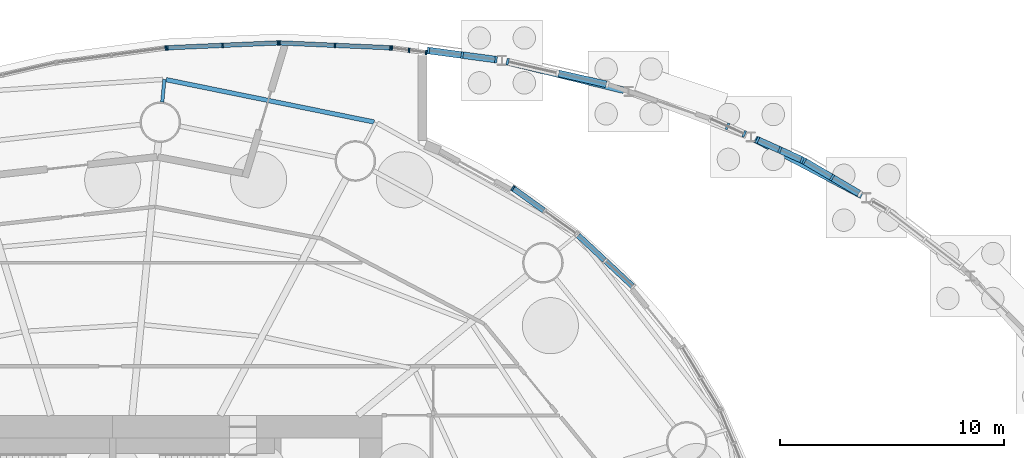
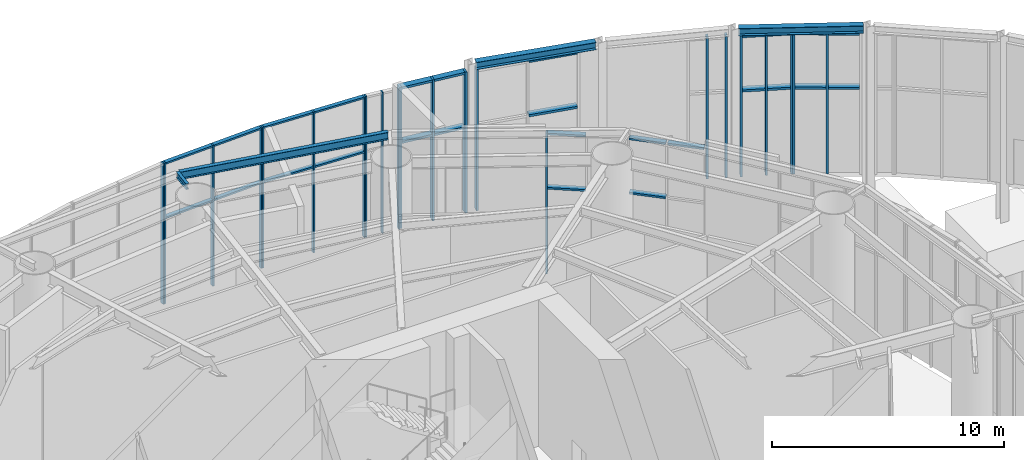
# One storey, part 12 of 27: 49 members, 4 beams, 11 elements without a shape of their own.
"""IFC4 building model written with IfcOpenShell, lengths in metres."""

from ifc_helpers import new_model, si_unit, direction, frame, origin, origin_2d, place, context, subcontext, project, spatial, rectangle, i_section, extrude, material, material_profile, profile_set, type_object, element, aggregate, save


model = new_model("IFC4")

# Units and contexts
model_context = context("Model", 3, precision=1e-05, world=origin(), true_north=direction((0.0, 1.0)))
body_context = subcontext(model_context, "Body", "Model", "MODEL_VIEW")
ifc_project = project(units=[si_unit("LENGTHUNIT", "METRE"), si_unit("AREAUNIT", "SQUARE_METRE"), si_unit("VOLUMEUNIT", "CUBIC_METRE"), si_unit("PLANEANGLEUNIT", "RADIAN"), si_unit("MASSUNIT", "GRAM", prefix="KILO")], contexts=[model_context])

# Site, building, storey
site_placement = place(None, origin())
site = spatial("IfcSite", under=ifc_project, at=site_placement, CompositionType="ELEMENT")
building_placement = place(site_placement, origin())
building = spatial("IfcBuilding", under=site, at=building_placement, Name="Vermilion Reach Broadcast Tower", CompositionType="ELEMENT")
storey_placement = place(building_placement, origin())
storey = spatial("IfcBuildingStorey", under=building, at=storey_placement, Name="L00", CompositionType="ELEMENT", Elevation=0.0)

# Curtain wall, members
ifc_material_1 = material(Name="Low-e laminated clear glass in aluminium frame", Category="aluminium")
curtain_wall_type_1 = type_object("IfcCurtainWallType", Name="Atrium outer wall curtain wall", PredefinedType="NOTDEFINED", material=ifc_material_1)
placement = place(storey_placement, origin())
curtain_wall_1 = element("IfcCurtainWall", 1, at=placement, inside=storey, type_object=curtain_wall_type_1, Name="Atrium wall L00 02-2", PredefinedType="NOTDEFINED")
ifc_material_2 = material(Name="Anodised aluminium", Category="aluminium")
ifc_material_profile_1 = material_profile(ifc_material_2, rectangle(XDim=0.300048828125, YDim=0.10009765625, at=origin_2d()), Name="Atrium outer wall mullion 100 x 300")
ifc_profile_set_1 = profile_set([ifc_material_profile_1], Name="Anodised aluminium")
member_type_1 = type_object("IfcMemberType", Name="Atrium outer wall mullion 100 x 300", PredefinedType="MULLION", material=ifc_profile_set_1)
member_1_placement = place(storey_placement, frame((26.0478515625, 19.6005859375, 0.0), z_axis=(0.0, 0.0, 1.0), x_axis=(-0.508589622127, -0.861009057017, 0.0)))
member_1 = element("IfcMember", 2, at=member_1_placement, type_object=member_type_1, Name="Atrium wall mullion L00 02-2.2", PredefinedType="MULLION", context=body_context, shape_type="SweptSolid", body=[
    extrude(rectangle(XDim=0.300048828125, YDim=0.10009765625, at=origin_2d()), origin(), (0.0, 0.0, 1.0), 7.409912109375),
])
member_2_placement = place(storey_placement, frame((24.8037109375, 20.33544921875, 0.0), z_axis=(0.0, 0.0, 1.0), x_axis=(-0.508589622127, -0.861009057017, 0.0)))
member_2 = element("IfcMember", 3, at=member_2_placement, type_object=member_type_1, Name="Atrium wall mullion L00 02-2.3", PredefinedType="MULLION", context=body_context, shape_type="SweptSolid", body=[
    extrude(rectangle(XDim=0.300048828125, YDim=0.10009765625, at=origin_2d()), origin(), (0.0, 0.0, 1.0), 7.409912109375),
])

curtain_wall_2 = element("IfcCurtainWall", 4, at=placement, inside=storey, type_object=curtain_wall_type_1, Name="Atrium wall L00 03-1", PredefinedType="NOTDEFINED")
member_3_placement = place(storey_placement, frame((24.715087890625, 20.38134765625, 0.0), z_axis=(0.0, 0.0, 1.0), x_axis=(-0.410407876277, -0.911902064418, 0.0)))
member_3 = element("IfcMember", 5, at=member_3_placement, type_object=member_type_1, Name="Atrium wall mullion L00 03-1.1", PredefinedType="MULLION", context=body_context, shape_type="SweptSolid", body=[
    extrude(rectangle(XDim=0.300048828125, YDim=0.10009765625, at=origin_2d()), origin(), (0.0, 0.0, 1.0), 7.409912109375),
])
member_4_placement = place(storey_placement, frame((23.720947265625, 20.82861328125, 0.0), z_axis=(0.0, 0.0, 1.0), x_axis=(-0.410407876277, -0.911902064418, 0.0)))
member_4 = element("IfcMember", 6, at=member_4_placement, type_object=member_type_1, Name="Atrium wall mullion L00 03-1.2", PredefinedType="MULLION", context=body_context, shape_type="SweptSolid", body=[
    extrude(rectangle(XDim=0.300048828125, YDim=0.10009765625, at=origin_2d()), origin(), (0.0, 0.0, 1.0), 7.409912109375),
])
member_5_placement = place(storey_placement, frame((22.726806640625, 21.276123046875, 0.0), z_axis=(0.0, 0.0, 1.0), x_axis=(-0.410407876277, -0.911902064418, 0.0)))
member_5 = element("IfcMember", 7, at=member_5_placement, type_object=member_type_1, Name="Atrium wall mullion L00 03-1.3", PredefinedType="MULLION", context=body_context, shape_type="SweptSolid", body=[
    extrude(rectangle(XDim=0.300048828125, YDim=0.10009765625, at=origin_2d()), origin(), (0.0, 0.0, 1.0), 7.409912109375),
])

curtain_wall_3 = element("IfcCurtainWall", 8, at=placement, inside=storey, type_object=curtain_wall_type_1, Name="Atrium wall L00 03-2", PredefinedType="NOTDEFINED")
member_6_placement = place(storey_placement, frame((22.1357421875, 21.5419921875, 0.0), z_axis=(0.0, 0.0, 1.0), x_axis=(-0.410407876277, -0.911902064418, 0.0)))
member_6 = element("IfcMember", 9, at=member_6_placement, type_object=member_type_1, Name="Atrium wall mullion L00 03-2.1", PredefinedType="MULLION", context=body_context, shape_type="SweptSolid", body=[
    extrude(rectangle(XDim=0.300048828125, YDim=0.10009765625, at=origin_2d()), origin(), (0.0, 0.0, 1.0), 7.409912109375),
])
member_7_placement = place(storey_placement, frame((21.386474609375, 21.87939453125, 0.0), z_axis=(0.0, 0.0, 1.0), x_axis=(-0.410407876277, -0.911902064418, 0.0)))
member_7 = element("IfcMember", 10, at=member_7_placement, type_object=member_type_1, Name="Atrium wall mullion L00 03-2.2", PredefinedType="MULLION", context=body_context, shape_type="SweptSolid", body=[
    extrude(rectangle(XDim=0.300048828125, YDim=0.10009765625, at=origin_2d()), origin(), (0.0, 0.0, 1.0), 7.409912109375),
])
aggregate(curtain_wall_3, [member_6, member_7])

# Curtain wall, member
curtain_wall_4 = element("IfcCurtainWall", 11, at=placement, inside=storey, type_object=curtain_wall_type_1, Name="Atrium wall L00 01", PredefinedType="NOTDEFINED")
member_8_placement = place(storey_placement, frame((11.594482421875, 24.760009765625, 0.0), z_axis=(0.0, 0.0, 1.0), x_axis=(-0.222891523278, -0.974843253478, 0.0)))
member_8 = element("IfcMember", 12, at=member_8_placement, type_object=member_type_1, Name="Atrium wall mullion L00 01.3", PredefinedType="MULLION", context=body_context, shape_type="SweptSolid", body=[
    extrude(rectangle(XDim=0.300048828125, YDim=0.10009765625, at=origin_2d()), origin(), (0.0, 0.0, 1.0), 7.409912109375),
])

# Curtain wall, members
curtain_wall_5 = element("IfcCurtainWall", 13, at=placement, inside=storey, type_object=curtain_wall_type_1, Name="Atrium wall L00 02", PredefinedType="NOTDEFINED")
member_9_placement = place(storey_placement, frame((11.075439453125, 24.85400390625, 0.0), z_axis=(0.0, 0.0, 1.0), x_axis=(-0.132793713723, -0.991143697753, 0.0)))
member_9 = element("IfcMember", 14, at=member_9_placement, type_object=member_type_1, Name="Atrium wall mullion L00 02.1", PredefinedType="MULLION", context=body_context, shape_type="SweptSolid", body=[
    extrude(rectangle(XDim=0.300048828125, YDim=0.10009765625, at=origin_2d()), origin(), (0.0, 0.0, 1.0), 7.409912109375),
])
member_10_placement = place(storey_placement, frame((9.569091796875, 25.055908203125, 0.0), z_axis=(0.0, 0.0, 1.0), x_axis=(-0.132793713723, -0.991143697753, 0.0)))
member_10 = element("IfcMember", 15, at=member_10_placement, type_object=member_type_1, Name="Atrium wall mullion L00 02.2", PredefinedType="MULLION", context=body_context, shape_type="SweptSolid", body=[
    extrude(rectangle(XDim=0.300048828125, YDim=0.10009765625, at=origin_2d()), origin(), (0.0, 0.0, 1.0), 7.409912109375),
])
member_11_placement = place(storey_placement, frame((8.062744140625, 25.257568359375, 0.0), z_axis=(0.0, 0.0, 1.0), x_axis=(-0.132793713723, -0.991143697753, 0.0)))
member_11 = element("IfcMember", 16, at=member_11_placement, type_object=member_type_1, Name="Atrium wall mullion L00 02.3", PredefinedType="MULLION", context=body_context, shape_type="SweptSolid", body=[
    extrude(rectangle(XDim=0.300048828125, YDim=0.10009765625, at=origin_2d()), origin(), (0.0, 0.0, 1.0), 7.409912109375),
])

# Member
ifc_material_3 = material(Name="Anodised aluminium", Category="aluminium")
ifc_material_profile_2 = material_profile(ifc_material_3, rectangle(XDim=0.300048828125, YDim=0.1201171875, at=origin_2d()), Name="Atrium outer wall transom 300 x 120")
ifc_profile_set_2 = profile_set([ifc_material_profile_2], Name="Anodised aluminium")
member_type_2 = type_object("IfcMemberType", Name="Atrium outer wall transom 300 x 120", PredefinedType="USERDEFINED", material=ifc_profile_set_2)
member_12_placement = place(storey_placement, frame((27.248779296875, 18.89111328125, 4.5), z_axis=(-0.861060223376, 0.508502990866, 0.0), x_axis=(-0.508502990866, -0.861060223376, 0.0)))
member_12 = element("IfcMember", 17, at=member_12_placement, type_object=member_type_2, Name="Atrium wall transom L00 02-2.1.2", ObjectType="TRANSOM", PredefinedType="USERDEFINED", context=body_context, shape_type="SweptSolid", body=[
    extrude(rectangle(XDim=0.300048828125, YDim=0.1201171875, at=origin_2d()), origin(), (0.0, 0.0, 1.0), 1.3447265625),
])

member_13_placement = place(storey_placement, frame((27.248779296875, 18.89111328125, 7.35009765625), z_axis=(-0.861060223376, 0.508502990866, 0.0), x_axis=(-0.508502990866, -0.861060223376, 0.0)))
member_13 = element("IfcMember", 18, at=member_13_placement, type_object=member_type_2, Name="Atrium wall transom L00 02-2.1.3", ObjectType="TRANSOM", PredefinedType="USERDEFINED", context=body_context, shape_type="SweptSolid", body=[
    extrude(rectangle(XDim=0.300048828125, YDim=0.1201171875, at=origin_2d()), origin(), (0.0, 0.0, 1.0), 1.3447265625),
])

member_14_placement = place(storey_placement, frame((26.004638671875, 19.6259765625, 4.5), z_axis=(-0.861060223376, 0.508502990866, 0.0), x_axis=(-0.508502990866, -0.861060223376, 0.0)))
member_14 = element("IfcMember", 19, at=member_14_placement, type_object=member_type_2, Name="Atrium wall transom L00 02-2.2.2", ObjectType="TRANSOM", PredefinedType="USERDEFINED", context=body_context, shape_type="SweptSolid", body=[
    extrude(rectangle(XDim=0.300048828125, YDim=0.1201171875, at=origin_2d()), origin(), (0.0, 0.0, 1.0), 1.3447265625),
])

member_15_placement = place(storey_placement, frame((26.004638671875, 19.6259765625, 7.35009765625), z_axis=(-0.861060223376, 0.508502990866, 0.0), x_axis=(-0.508502990866, -0.861060223376, 0.0)))
member_15 = element("IfcMember", 20, at=member_15_placement, type_object=member_type_2, Name="Atrium wall transom L00 02-2.2.3", ObjectType="TRANSOM", PredefinedType="USERDEFINED", context=body_context, shape_type="SweptSolid", body=[
    extrude(rectangle(XDim=0.300048828125, YDim=0.1201171875, at=origin_2d()), origin(), (0.0, 0.0, 1.0), 1.3447265625),
])

aggregate(curtain_wall_1, [member_1, member_2, member_12, member_13, member_14, member_15])

member_16_placement = place(storey_placement, frame((24.66943359375, 20.40185546875, 4.5), z_axis=(-0.911972242519, 0.410251909044, 0.0), x_axis=(-0.410251909044, -0.911972242519, 0.0)))
member_16 = element("IfcMember", 21, at=member_16_placement, type_object=member_type_2, Name="Atrium wall transom L00 03-1.1.2", ObjectType="TRANSOM", PredefinedType="USERDEFINED", context=body_context, shape_type="SweptSolid", body=[
    extrude(rectangle(XDim=0.300048828125, YDim=0.1201171875, at=origin_2d()), origin(), (0.0, 0.0, 1.0), 0.990234375),
])

member_17_placement = place(storey_placement, frame((24.66943359375, 20.40185546875, 7.35009765625), z_axis=(-0.911972242519, 0.410251909044, 0.0), x_axis=(-0.410251909044, -0.911972242519, 0.0)))
member_17 = element("IfcMember", 22, at=member_17_placement, type_object=member_type_2, Name="Atrium wall transom L00 03-1.1.3", ObjectType="TRANSOM", PredefinedType="USERDEFINED", context=body_context, shape_type="SweptSolid", body=[
    extrude(rectangle(XDim=0.300048828125, YDim=0.1201171875, at=origin_2d()), origin(), (0.0, 0.0, 1.0), 0.990234375),
])

member_18_placement = place(storey_placement, frame((23.67529296875, 20.84912109375, 4.5), z_axis=(-0.911879986632, 0.410456928289, 0.0), x_axis=(-0.410456928289, -0.911879986632, 0.0)))
member_18 = element("IfcMember", 23, at=member_18_placement, type_object=member_type_2, Name="Atrium wall transom L00 03-1.2.2", ObjectType="TRANSOM", PredefinedType="USERDEFINED", context=body_context, shape_type="SweptSolid", body=[
    extrude(rectangle(XDim=0.300048828125, YDim=0.1201171875, at=origin_2d()), origin(), (0.0, 0.0, 1.0), 0.990234375),
])

member_19_placement = place(storey_placement, frame((23.67529296875, 20.84912109375, 7.35009765625), z_axis=(-0.911879986632, 0.410456928289, 0.0), x_axis=(-0.410456928289, -0.911879986632, 0.0)))
member_19 = element("IfcMember", 24, at=member_19_placement, type_object=member_type_2, Name="Atrium wall transom L00 03-1.2.3", ObjectType="TRANSOM", PredefinedType="USERDEFINED", context=body_context, shape_type="SweptSolid", body=[
    extrude(rectangle(XDim=0.300048828125, YDim=0.1201171875, at=origin_2d()), origin(), (0.0, 0.0, 1.0), 0.990234375),
])

aggregate(curtain_wall_2, [member_3, member_4, member_5, member_16, member_17, member_18, member_19])

member_20_placement = place(storey_placement, frame((15.99365234375, 23.75439453125, 4.5), z_axis=(-0.97485503326, 0.222839996696, 0.0), x_axis=(-0.222839996696, -0.97485503326, 0.0)))
member_20 = element("IfcMember", 25, at=member_20_placement, type_object=member_type_2, Name="Atrium wall transom L00 01.1.2", ObjectType="TRANSOM", PredefinedType="USERDEFINED", context=body_context, shape_type="SweptSolid", body=[
    extrude(rectangle(XDim=0.300048828125, YDim=0.1201171875, at=origin_2d()), origin(), (0.0, 0.0, 1.0), 2.181396484375),
])

member_21_placement = place(storey_placement, frame((15.99365234375, 23.75439453125, 7.35009765625), z_axis=(-0.97485503326, 0.222839996696, 0.0), x_axis=(-0.222839996696, -0.97485503326, 0.0)))
member_21 = element("IfcMember", 26, at=member_21_placement, type_object=member_type_2, Name="Atrium wall transom L00 01.1.3", ObjectType="TRANSOM", PredefinedType="USERDEFINED", context=body_context, shape_type="SweptSolid", body=[
    extrude(rectangle(XDim=0.300048828125, YDim=0.1201171875, at=origin_2d()), origin(), (0.0, 0.0, 1.0), 2.181396484375),
])

aggregate(curtain_wall_4, [member_8, member_20, member_21])

member_22_placement = place(storey_placement, frame((11.02587890625, 24.860595703125, 4.5), z_axis=(-0.991149634463, 0.132749395872, 0.0), x_axis=(-0.132749395872, -0.991149634463, 0.0)))
member_22 = element("IfcMember", 27, at=member_22_placement, type_object=member_type_2, Name="Atrium wall transom L00 02.1.2", ObjectType="TRANSOM", PredefinedType="USERDEFINED", context=body_context, shape_type="SweptSolid", body=[
    extrude(rectangle(XDim=0.300048828125, YDim=0.1201171875, at=origin_2d()), origin(), (0.0, 0.0, 1.0), 1.419677734375),
])

member_23_placement = place(storey_placement, frame((11.02587890625, 24.860595703125, 7.35009765625), z_axis=(-0.991149634463, 0.132749395872, 0.0), x_axis=(-0.132749395872, -0.991149634463, 0.0)))
member_23 = element("IfcMember", 28, at=member_23_placement, type_object=member_type_2, Name="Atrium wall transom L00 02.1.3", ObjectType="TRANSOM", PredefinedType="USERDEFINED", context=body_context, shape_type="SweptSolid", body=[
    extrude(rectangle(XDim=0.300048828125, YDim=0.1201171875, at=origin_2d()), origin(), (0.0, 0.0, 1.0), 1.419677734375),
])

member_24_placement = place(storey_placement, frame((9.51953125, 25.0625, 4.5), z_axis=(-0.991149634463, 0.132749395872, 0.0), x_axis=(-0.132749395872, -0.991149634463, 0.0)))
member_24 = element("IfcMember", 29, at=member_24_placement, type_object=member_type_2, Name="Atrium wall transom L00 02.2.2", ObjectType="TRANSOM", PredefinedType="USERDEFINED", context=body_context, shape_type="SweptSolid", body=[
    extrude(rectangle(XDim=0.300048828125, YDim=0.1201171875, at=origin_2d()), origin(), (0.0, 0.0, 1.0), 1.419677734375),
])

member_25_placement = place(storey_placement, frame((9.51953125, 25.0625, 7.35009765625), z_axis=(-0.991149634463, 0.132749395872, 0.0), x_axis=(-0.132749395872, -0.991149634463, 0.0)))
member_25 = element("IfcMember", 30, at=member_25_placement, type_object=member_type_2, Name="Atrium wall transom L00 02.2.3", ObjectType="TRANSOM", PredefinedType="USERDEFINED", context=body_context, shape_type="SweptSolid", body=[
    extrude(rectangle(XDim=0.300048828125, YDim=0.1201171875, at=origin_2d()), origin(), (0.0, 0.0, 1.0), 1.419677734375),
])

aggregate(curtain_wall_5, [member_9, member_10, member_11, member_22, member_23, member_24, member_25])

# Curtain wall, members
ifc_material_4 = material(Name="Low-e laminated clear glass in aluminium frame", Category="aluminium")
curtain_wall_type_2 = type_object("IfcCurtainWallType", Name="Drum wall curtain wall", PredefinedType="NOTDEFINED", material=ifc_material_4)
curtain_wall_6 = element("IfcCurtainWall", 31, at=placement, inside=storey, type_object=curtain_wall_type_2, Name="Drum wall L00 01", PredefinedType="NOTDEFINED")
ifc_material_5 = material(Name="Anodised aluminium", Category="aluminium")
ifc_material_profile_3 = material_profile(ifc_material_5, rectangle(XDim=0.25, YDim=0.080078125, at=origin_2d()), Name="Drum wall mullion 80 x 250")
ifc_profile_set_3 = profile_set([ifc_material_profile_3], Name="Anodised aluminium")
member_type_3 = type_object("IfcMemberType", Name="Drum wall mullion 80 x 250", PredefinedType="MULLION", material=ifc_profile_set_3)
member_26_placement = place(storey_placement, frame((11.830810546875, 19.123046875, 0.0), z_axis=(0.0, 0.0, 1.0), x_axis=(0.583587074286, 0.812050569069, 0.0)))
member_26 = element("IfcMember", 32, at=member_26_placement, type_object=member_type_3, Name="Drum wall mullion L00 01.1", PredefinedType="MULLION", context=body_context, shape_type="SweptSolid", body=[
    extrude(rectangle(XDim=0.25, YDim=0.080078125, at=origin_2d()), origin(), (0.0, 0.0, 1.0), 7.39990234375),
])
ifc_material_6 = material(Name="Anodised aluminium", Category="aluminium")
ifc_material_profile_4 = material_profile(ifc_material_6, rectangle(XDim=0.25, YDim=0.10009765625, at=origin_2d()), Name="Drum wall transom 250 x 100")
ifc_profile_set_4 = profile_set([ifc_material_profile_4], Name="Anodised aluminium")
member_type_4 = type_object("IfcMemberType", Name="Drum wall transom 250 x 100", PredefinedType="USERDEFINED", material=ifc_profile_set_4)
member_27_placement = place(storey_placement, frame((11.86328125, 19.099609375, 4.5), z_axis=(0.812065616245, -0.583566135852, 0.0), x_axis=(0.583566135852, 0.812065616245, 0.0)))
member_27 = element("IfcMember", 33, at=member_27_placement, type_object=member_type_4, Name="Drum wall transom L00 01.1.2", ObjectType="TRANSOM", PredefinedType="USERDEFINED", context=body_context, shape_type="SweptSolid", body=[
    extrude(rectangle(XDim=0.25, YDim=0.10009765625, at=origin_2d()), origin(), (0.0, 0.0, 1.0), 1.655029296875),
])
member_28_placement = place(storey_placement, frame((11.86328125, 19.099609375, 7.35009765625), z_axis=(0.812065616245, -0.583566135852, 0.0), x_axis=(0.583566135852, 0.812065616245, 0.0)))
member_28 = element("IfcMember", 34, at=member_28_placement, type_object=member_type_4, Name="Drum wall transom L00 01.1.3", ObjectType="TRANSOM", PredefinedType="USERDEFINED", context=body_context, shape_type="SweptSolid", body=[
    extrude(rectangle(XDim=0.25, YDim=0.10009765625, at=origin_2d()), origin(), (0.0, 0.0, 1.0), 1.655029296875),
])
aggregate(curtain_wall_6, [member_26, member_27, member_28])

curtain_wall_7 = element("IfcCurtainWall", 35, at=placement, inside=storey, type_object=curtain_wall_type_2, Name="Drum wall L00 02", PredefinedType="NOTDEFINED")
member_29_placement = place(storey_placement, frame((14.73974609375, 17.019775390625, 4.5), z_axis=(0.730692725273, -0.68270648249, 0.0), x_axis=(0.68270648249, 0.730692725273, 0.0)))
member_29 = element("IfcMember", 36, at=member_29_placement, type_object=member_type_4, Name="Drum wall transom L00 02.1.2", ObjectType="TRANSOM", PredefinedType="USERDEFINED", context=body_context, shape_type="SweptSolid", body=[
    extrude(rectangle(XDim=0.25, YDim=0.10009765625, at=origin_2d()), origin(), (0.0, 0.0, 1.0), 1.61279296875),
])
member_30_placement = place(storey_placement, frame((14.73974609375, 17.019775390625, 7.35009765625), z_axis=(0.730692725273, -0.68270648249, 0.0), x_axis=(0.68270648249, 0.730692725273, 0.0)))
member_30 = element("IfcMember", 37, at=member_30_placement, type_object=member_type_4, Name="Drum wall transom L00 02.1.3", ObjectType="TRANSOM", PredefinedType="USERDEFINED", context=body_context, shape_type="SweptSolid", body=[
    extrude(rectangle(XDim=0.25, YDim=0.10009765625, at=origin_2d()), origin(), (0.0, 0.0, 1.0), 1.61279296875),
])
member_31_placement = place(storey_placement, frame((15.9765625, 15.864013671875, 7.35009765625), z_axis=(0.730622158932, -0.682782000991, 0.0), x_axis=(0.682782000991, 0.730622158932, 0.0)))
member_31 = element("IfcMember", 38, at=member_31_placement, type_object=member_type_4, Name="Drum wall transom L00 02.2.3", ObjectType="TRANSOM", PredefinedType="USERDEFINED", context=body_context, shape_type="SweptSolid", body=[
    extrude(rectangle(XDim=0.25, YDim=0.10009765625, at=origin_2d()), origin(), (0.0, 0.0, 1.0), 1.612548828125),
])
aggregate(curtain_wall_7, [member_29, member_30, member_31])

# Beams
ifc_material_7 = material(Name="Steel S355J2", Category="steel")
ifc_material_profile_5 = material_profile(ifc_material_7, i_section(OverallWidth=0.199951171875, OverallDepth=0.39990234375, WebThickness=0.008056640625, FlangeThickness=0.012939453125, at=origin_2d()), Name="S355J2 HN 400x200x8x13")
ifc_profile_set_5 = profile_set([ifc_material_profile_5], Name="Steel S355J2")
beam_type_1 = type_object("IfcBeamType", Name="EB1 HN 400x200x8x13", PredefinedType="BEAM", material=ifc_profile_set_5)
beam_1_placement = place(storey_placement, frame((5.64697265625, 22.07373046875, 7.60009765625), z_axis=(-0.979888700242, 0.199544819871, 0.0), x_axis=(-0.199544819871, -0.979888700242, 0.0)))
element("IfcBeam", 39, at=beam_1_placement, inside=storey, type_object=beam_type_1, Name="Edge beam EB1-03", PredefinedType="BEAM", context=body_context, shape_type="SweptSolid", body=[
    extrude(i_section(OverallWidth=0.199951171875, OverallDepth=0.39990234375, WebThickness=0.008056640625, FlangeThickness=0.012939453125, at=origin_2d()), origin(), (0.0, 0.0, 1.0), 9.458740234375),
])
ifc_material_8 = material(Name="Steel S355J2", Category="steel")
ifc_material_profile_6 = material_profile(ifc_material_8, i_section(OverallWidth=0.14990234375, OverallDepth=0.300048828125, WebThickness=0.006591796875, FlangeThickness=0.009033203125, at=origin_2d()), Name="S355J2 HN 300x150x6.5x9")
ifc_profile_set_6 = profile_set([ifc_material_profile_6], Name="Steel S355J2")
beam_type_2 = type_object("IfcBeamType", Name="GS1 HN 300x150x6.5x9", PredefinedType="BEAM", material=ifc_profile_set_6)
beam_2_placement = place(storey_placement, frame((-3.793212890625, 22.959716796875, 7.64990234375), z_axis=(0.095621304963, 0.99541778467, 0.0), x_axis=(-0.99541778467, 0.095621304963, 0.0)))
element("IfcBeam", 40, at=beam_2_placement, inside=storey, type_object=beam_type_2, Name="Cantilever stub GS1-04", PredefinedType="BEAM", context=body_context, shape_type="SweptSolid", body=[
    extrude(i_section(OverallWidth=0.14990234375, OverallDepth=0.300048828125, WebThickness=0.006591796875, FlangeThickness=0.009033203125, at=origin_2d()), origin(), (0.0, 0.0, 1.0), 1.021240234375),
])
ifc_material_9 = material(Name="Steel S355J2", Category="steel")
ifc_material_profile_7 = material_profile(ifc_material_9, i_section(OverallWidth=0.300048828125, OverallDepth=0.389892578125, WebThickness=0.010009765625, FlangeThickness=0.01611328125, at=origin_2d()), Name="S355J2 HM 390x300x10x16")
ifc_profile_set_7 = profile_set([ifc_material_profile_7], Name="Steel S355J2")
beam_type_3 = type_object("IfcBeamType", Name="RM1 HM 390x300x10x16", PredefinedType="BEAM", material=ifc_profile_set_7)
beam_3_placement = place(storey_placement, frame((27.3759765625, 18.80322265625, 7.60498046875), z_axis=(-0.884684356477, 0.46619050763, 0.0), x_axis=(-0.46619050763, -0.884684356477, 0.0)))
element("IfcBeam", 41, at=beam_3_placement, inside=storey, type_object=beam_type_3, Name="Rim beam AP12-AP13", PredefinedType="BEAM", context=body_context, shape_type="SweptSolid", body=[
    extrude(i_section(OverallWidth=0.300048828125, OverallDepth=0.389892578125, WebThickness=0.010009765625, FlangeThickness=0.01611328125, at=origin_2d()), origin(), (0.0, 0.0, 1.0), 5.369384765625),
])
beam_4_placement = place(storey_placement, frame((16.77099609375, 23.487548828125, 7.60498046875), z_axis=(-0.97127010403, 0.237979799598, 0.0), x_axis=(-0.237979799598, -0.97127010403, 0.0)))
element("IfcBeam", 42, at=beam_4_placement, inside=storey, type_object=beam_type_3, Name="Rim beam AP14-AP15", PredefinedType="BEAM", context=body_context, shape_type="SweptSolid", body=[
    extrude(i_section(OverallWidth=0.300048828125, OverallDepth=0.389892578125, WebThickness=0.010009765625, FlangeThickness=0.01611328125, at=origin_2d()), origin(), (0.0, 0.0, 1.0), 5.37451171875),
])

# Curtain wall, members
ifc_material_10 = material(Name="Low-e laminated clear glass in aluminium frame", Category="aluminium")
curtain_wall_type_3 = type_object("IfcCurtainWallType", Name="Street frontage curtain wall", PredefinedType="NOTDEFINED", material=ifc_material_10)
curtain_wall_8 = element("IfcCurtainWall", 43, at=placement, inside=storey, type_object=curtain_wall_type_3, Name="Street frontage L00 01", PredefinedType="NOTDEFINED")
ifc_material_11 = material(Name="Anodised aluminium", Category="aluminium")
ifc_material_profile_8 = material_profile(ifc_material_11, rectangle(XDim=0.199951171875, YDim=0.070068359375, at=origin_2d()), Name="Street frontage mullion 70 x 200")
ifc_profile_set_8 = profile_set([ifc_material_profile_8], Name="Anodised aluminium")
member_type_5 = type_object("IfcMemberType", Name="Street frontage mullion 70 x 200", PredefinedType="MULLION", material=ifc_profile_set_8)
member_32_placement = place(storey_placement, frame((7.96533203125, 25.169921875, 0.0), z_axis=(0.0, 0.0, 1.0), x_axis=(-0.132793514649, -0.991143724425, 0.0)))
member_32 = element("IfcMember", 44, at=member_32_placement, type_object=member_type_5, Name="Street frontage mullion L00 01.1", PredefinedType="MULLION", context=body_context, shape_type="SweptSolid", body=[
    extrude(rectangle(XDim=0.199951171875, YDim=0.070068359375, at=origin_2d()), origin(), (0.0, 0.0, 1.0), 7.39990234375),
])
member_33_placement = place(storey_placement, frame((7.201416015625, 25.272216796875, 0.0), z_axis=(0.0, 0.0, 1.0), x_axis=(-0.132793514649, -0.991143724425, 0.0)))
member_33 = element("IfcMember", 45, at=member_33_placement, type_object=member_type_5, Name="Street frontage mullion L00 01.2", PredefinedType="MULLION", context=body_context, shape_type="SweptSolid", body=[
    extrude(rectangle(XDim=0.199951171875, YDim=0.070068359375, at=origin_2d()), origin(), (0.0, 0.0, 1.0), 7.39990234375),
])
member_34_placement = place(storey_placement, frame((6.437744140625, 25.37451171875, 0.0), z_axis=(0.0, 0.0, 1.0), x_axis=(-0.132793514649, -0.991143724425, 0.0)))
member_34 = element("IfcMember", 46, at=member_34_placement, type_object=member_type_5, Name="Street frontage mullion L00 01.3", PredefinedType="MULLION", context=body_context, shape_type="SweptSolid", body=[
    extrude(rectangle(XDim=0.199951171875, YDim=0.070068359375, at=origin_2d()), origin(), (0.0, 0.0, 1.0), 7.39990234375),
])
aggregate(curtain_wall_8, [member_32, member_33, member_34])

curtain_wall_9 = element("IfcCurtainWall", 47, at=placement, inside=storey, type_object=curtain_wall_type_3, Name="Street frontage L00 02", PredefinedType="NOTDEFINED")
member_35_placement = place(storey_placement, frame((6.367919921875, 25.380615234375, 0.0), z_axis=(0.0, 0.0, 1.0), x_axis=(-0.044104737232, -0.999026912627, 0.0)))
member_35 = element("IfcMember", 48, at=member_35_placement, type_object=member_type_5, Name="Street frontage mullion L00 02.1", PredefinedType="MULLION", context=body_context, shape_type="SweptSolid", body=[
    extrude(rectangle(XDim=0.199951171875, YDim=0.070068359375, at=origin_2d()), origin(), (0.0, 0.0, 1.0), 7.39990234375),
])
member_36_placement = place(storey_placement, frame((3.901611328125, 25.489501953125, 0.0), z_axis=(0.0, 0.0, 1.0), x_axis=(-0.044104737232, -0.999026912627, 0.0)))
member_36 = element("IfcMember", 49, at=member_36_placement, type_object=member_type_5, Name="Street frontage mullion L00 02.2", PredefinedType="MULLION", context=body_context, shape_type="SweptSolid", body=[
    extrude(rectangle(XDim=0.199951171875, YDim=0.070068359375, at=origin_2d()), origin(), (0.0, 0.0, 1.0), 7.39990234375),
])
member_37_placement = place(storey_placement, frame((1.43505859375, 25.598388671875, 0.0), z_axis=(0.0, 0.0, 1.0), x_axis=(-0.044104737232, -0.999026912627, 0.0)))
member_37 = element("IfcMember", 50, at=member_37_placement, type_object=member_type_5, Name="Street frontage mullion L00 02.3", PredefinedType="MULLION", context=body_context, shape_type="SweptSolid", body=[
    extrude(rectangle(XDim=0.199951171875, YDim=0.070068359375, at=origin_2d()), origin(), (0.0, 0.0, 1.0), 7.39990234375),
])

curtain_wall_10 = element("IfcCurtainWall", 51, at=placement, inside=storey, type_object=curtain_wall_type_3, Name="Street frontage L00 03", PredefinedType="NOTDEFINED")
member_38_placement = place(storey_placement, frame((1.364990234375, 25.598388671875, 0.0), z_axis=(0.0, 0.0, 1.0), x_axis=(0.044104737232, -0.999026912627, 0.0)))
member_38 = element("IfcMember", 52, at=member_38_placement, type_object=member_type_5, Name="Street frontage mullion L00 03.1", PredefinedType="MULLION", context=body_context, shape_type="SweptSolid", body=[
    extrude(rectangle(XDim=0.199951171875, YDim=0.070068359375, at=origin_2d()), origin(), (0.0, 0.0, 1.0), 7.39990234375),
])
member_39_placement = place(storey_placement, frame((-1.1015625, 25.489501953125, 0.0), z_axis=(0.0, 0.0, 1.0), x_axis=(0.044104737232, -0.999026912627, 0.0)))
member_39 = element("IfcMember", 53, at=member_39_placement, type_object=member_type_5, Name="Street frontage mullion L00 03.2", PredefinedType="MULLION", context=body_context, shape_type="SweptSolid", body=[
    extrude(rectangle(XDim=0.199951171875, YDim=0.070068359375, at=origin_2d()), origin(), (0.0, 0.0, 1.0), 7.39990234375),
])
member_40_placement = place(storey_placement, frame((-3.568115234375, 25.380615234375, 0.0), z_axis=(0.0, 0.0, 1.0), x_axis=(0.044104737232, -0.999026912627, 0.0)))
member_40 = element("IfcMember", 54, at=member_40_placement, type_object=member_type_5, Name="Street frontage mullion L00 03.3", PredefinedType="MULLION", context=body_context, shape_type="SweptSolid", body=[
    extrude(rectangle(XDim=0.199951171875, YDim=0.070068359375, at=origin_2d()), origin(), (0.0, 0.0, 1.0), 7.39990234375),
])

# Curtain wall, member
curtain_wall_11 = element("IfcCurtainWall", 55, at=placement, inside=storey, type_object=curtain_wall_type_3, Name="Street frontage L00 04", PredefinedType="NOTDEFINED")
member_41_placement = place(storey_placement, frame((-3.6376953125, 25.37451171875, 0.0), z_axis=(0.0, 0.0, 1.0), x_axis=(0.13279364906, -0.991143706417, 0.0)))
member_41 = element("IfcMember", 56, at=member_41_placement, type_object=member_type_5, Name="Street frontage mullion L00 04.1", PredefinedType="MULLION", context=body_context, shape_type="SweptSolid", body=[
    extrude(rectangle(XDim=0.199951171875, YDim=0.070068359375, at=origin_2d()), origin(), (0.0, 0.0, 1.0), 7.39990234375),
])
aggregate(curtain_wall_11, [member_41])

# Member
ifc_material_12 = material(Name="Anodised aluminium", Category="aluminium")
ifc_material_profile_9 = material_profile(ifc_material_12, rectangle(XDim=0.199951171875, YDim=0.090087890625, at=origin_2d()), Name="Street frontage transom 200 x 90")
ifc_profile_set_9 = profile_set([ifc_material_profile_9], Name="Anodised aluminium")
member_type_6 = type_object("IfcMemberType", Name="Street frontage transom 200 x 90", PredefinedType="USERDEFINED", material=ifc_profile_set_9)
member_42_placement = place(storey_placement, frame((6.3330078125, 25.38232421875, 4.5), z_axis=(-0.99902849853, 0.044068799905, 0.0), x_axis=(-0.044068799905, -0.99902849853, 0.0)))
member_42 = element("IfcMember", 57, at=member_42_placement, type_object=member_type_6, Name="Street frontage transom L00 02.1.2", ObjectType="TRANSOM", PredefinedType="USERDEFINED", context=body_context, shape_type="SweptSolid", body=[
    extrude(rectangle(XDim=0.199951171875, YDim=0.090087890625, at=origin_2d()), origin(), (0.0, 0.0, 1.0), 2.39892578125),
])

member_43_placement = place(storey_placement, frame((6.3330078125, 25.38232421875, 7.35498046875), z_axis=(-0.99902849853, 0.044068799905, 0.0), x_axis=(-0.044068799905, -0.99902849853, 0.0)))
member_43 = element("IfcMember", 58, at=member_43_placement, type_object=member_type_6, Name="Street frontage transom L00 02.1.3", ObjectType="TRANSOM", PredefinedType="USERDEFINED", context=body_context, shape_type="SweptSolid", body=[
    extrude(rectangle(XDim=0.199951171875, YDim=0.090087890625, at=origin_2d()), origin(), (0.0, 0.0, 1.0), 2.39892578125),
])

member_44_placement = place(storey_placement, frame((3.866455078125, 25.4912109375, 4.5), z_axis=(-0.99902849853, 0.044068799905, 0.0), x_axis=(-0.044068799905, -0.99902849853, 0.0)))
member_44 = element("IfcMember", 59, at=member_44_placement, type_object=member_type_6, Name="Street frontage transom L00 02.2.2", ObjectType="TRANSOM", PredefinedType="USERDEFINED", context=body_context, shape_type="SweptSolid", body=[
    extrude(rectangle(XDim=0.199951171875, YDim=0.090087890625, at=origin_2d()), origin(), (0.0, 0.0, 1.0), 2.39892578125),
])

member_45_placement = place(storey_placement, frame((3.866455078125, 25.4912109375, 7.35498046875), z_axis=(-0.99902849853, 0.044068799905, 0.0), x_axis=(-0.044068799905, -0.99902849853, 0.0)))
member_45 = element("IfcMember", 60, at=member_45_placement, type_object=member_type_6, Name="Street frontage transom L00 02.2.3", ObjectType="TRANSOM", PredefinedType="USERDEFINED", context=body_context, shape_type="SweptSolid", body=[
    extrude(rectangle(XDim=0.199951171875, YDim=0.090087890625, at=origin_2d()), origin(), (0.0, 0.0, 1.0), 2.39892578125),
])

aggregate(curtain_wall_9, [member_35, member_36, member_37, member_42, member_43, member_44, member_45])

member_46_placement = place(storey_placement, frame((1.330078125, 25.596923828125, 4.5), z_axis=(-0.99902849853, -0.044068799905, 0.0), x_axis=(0.044068799905, -0.99902849853, 0.0)))
member_46 = element("IfcMember", 61, at=member_46_placement, type_object=member_type_6, Name="Street frontage transom L00 03.1.2", ObjectType="TRANSOM", PredefinedType="USERDEFINED", context=body_context, shape_type="SweptSolid", body=[
    extrude(rectangle(XDim=0.199951171875, YDim=0.090087890625, at=origin_2d()), origin(), (0.0, 0.0, 1.0), 2.39892578125),
])

member_47_placement = place(storey_placement, frame((1.330078125, 25.596923828125, 7.35498046875), z_axis=(-0.99902849853, -0.044068799905, 0.0), x_axis=(0.044068799905, -0.99902849853, 0.0)))
member_47 = element("IfcMember", 62, at=member_47_placement, type_object=member_type_6, Name="Street frontage transom L00 03.1.3", ObjectType="TRANSOM", PredefinedType="USERDEFINED", context=body_context, shape_type="SweptSolid", body=[
    extrude(rectangle(XDim=0.199951171875, YDim=0.090087890625, at=origin_2d()), origin(), (0.0, 0.0, 1.0), 2.39892578125),
])

member_48_placement = place(storey_placement, frame((-1.136474609375, 25.488037109375, 4.5), z_axis=(-0.99902849853, -0.044068799905, 0.0), x_axis=(0.044068799905, -0.99902849853, 0.0)))
member_48 = element("IfcMember", 63, at=member_48_placement, type_object=member_type_6, Name="Street frontage transom L00 03.2.2", ObjectType="TRANSOM", PredefinedType="USERDEFINED", context=body_context, shape_type="SweptSolid", body=[
    extrude(rectangle(XDim=0.199951171875, YDim=0.090087890625, at=origin_2d()), origin(), (0.0, 0.0, 1.0), 2.39892578125),
])

member_49_placement = place(storey_placement, frame((-1.136474609375, 25.488037109375, 7.35498046875), z_axis=(-0.99902849853, -0.044068799905, 0.0), x_axis=(0.044068799905, -0.99902849853, 0.0)))
member_49 = element("IfcMember", 64, at=member_49_placement, type_object=member_type_6, Name="Street frontage transom L00 03.2.3", ObjectType="TRANSOM", PredefinedType="USERDEFINED", context=body_context, shape_type="SweptSolid", body=[
    extrude(rectangle(XDim=0.199951171875, YDim=0.090087890625, at=origin_2d()), origin(), (0.0, 0.0, 1.0), 2.39892578125),
])

aggregate(curtain_wall_10, [member_38, member_39, member_40, member_46, member_47, member_48, member_49])

save(model, "model.ifc")
